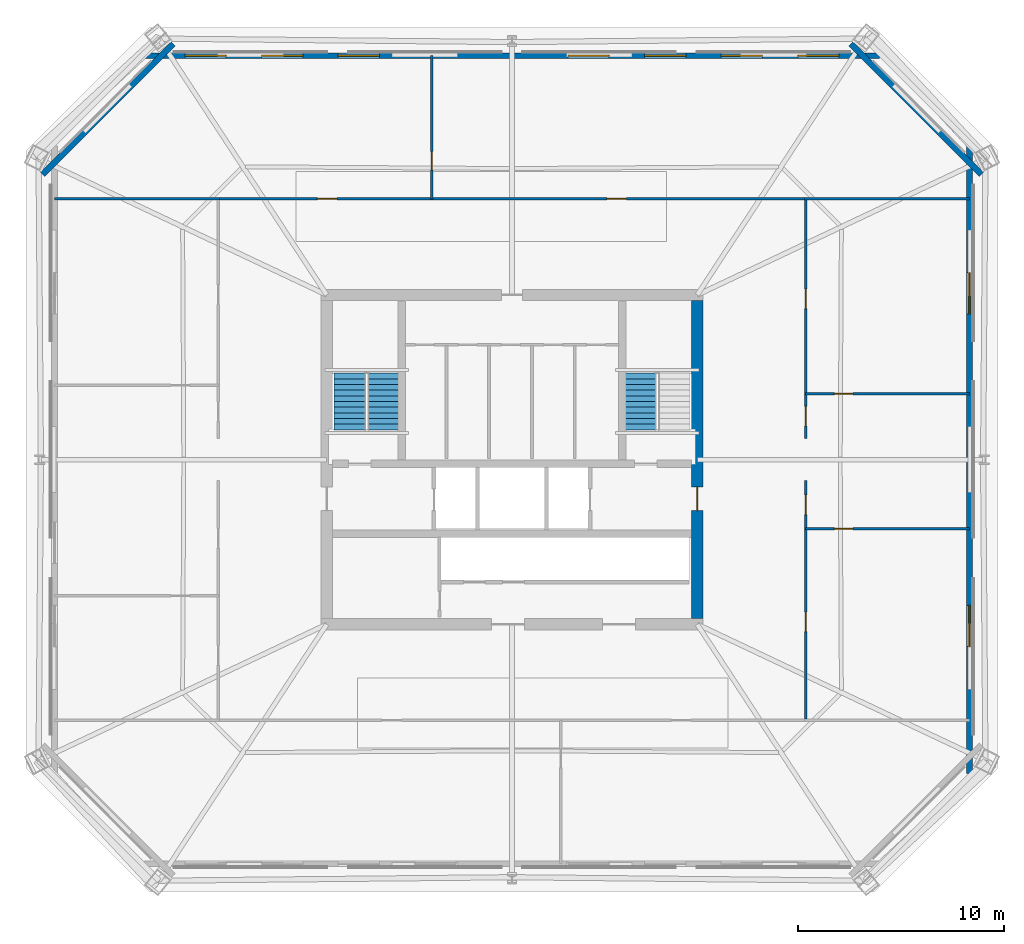
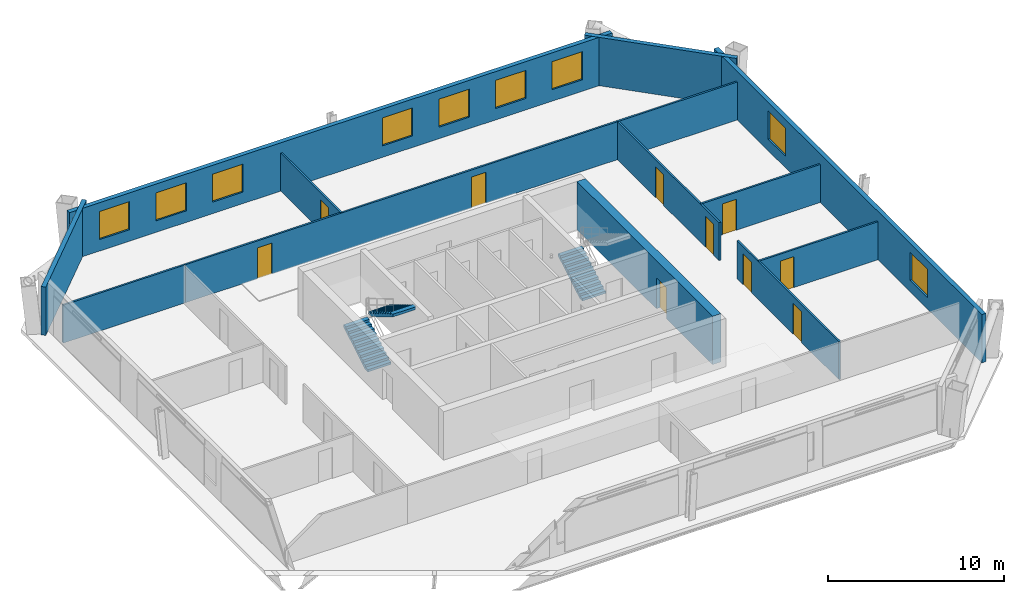
# One storey, part 4 of 7: 13 walls, 10 doors, 9 windows, 3 stair flights, 19 openings, 2 elements without a shape of their own.
"""IFC4 building model written with IfcOpenShell, lengths in metres."""

from ifc_helpers import new_model, si_unit, direction, frame, frame_2d, origin, place, context, subcontext, project, spatial, polyline, rectangle, outline, extrude, material, layer, layer_set, type_object, element, fill, aggregate, save


model = new_model("IFC4")

# Units and contexts
model_context = context("Model", 3, precision=1e-05, world=origin(), true_north=direction((0.0, 1.0)))
body_context = subcontext(model_context, "Body", "Model", "MODEL_VIEW")
ifc_project = project(units=[si_unit("LENGTHUNIT", "METRE"), si_unit("AREAUNIT", "SQUARE_METRE"), si_unit("VOLUMEUNIT", "CUBIC_METRE"), si_unit("PLANEANGLEUNIT", "RADIAN"), si_unit("MASSUNIT", "GRAM", prefix="KILO")], contexts=[model_context])

# Site, building, storey
site_placement = place(None, origin())
site = spatial("IfcSite", under=ifc_project, at=site_placement, CompositionType="ELEMENT")
building_placement = place(site_placement, origin())
building = spatial("IfcBuilding", under=site, at=building_placement, Name="Caelvoria Tower", CompositionType="ELEMENT")
storey_placement = place(building_placement, frame((0.0, 0.0, 124.0)))
storey = spatial("IfcBuildingStorey", under=building, at=storey_placement, Name="L32", CompositionType="ELEMENT", Elevation=124.0)

# Wall, openings, windows
ifc_material_1 = material(Name="Precast Concrete C40/50 with Bronze Cladding", Category="concrete")
ifc_layer_1 = layer(ifc_material_1, 0.280029296875, Name="Precast Concrete C40/50 with Bronze Cladding")
ifc_layer_set_1 = layer_set([ifc_layer_1], Name="Exterior Precast Concrete C40/50 Bronze-Clad Facade Wall 280 - Precast Concrete C40/50 with Bronze Cladding")
wall_type_1 = type_object("IfcWallType", Name="Exterior Precast Concrete C40/50 Bronze-Clad Facade Wall 280", PredefinedType="STANDARD", material=ifc_layer_set_1)
wall_1_placement = place(storey_placement, frame((68.219970703125, 16.760009765625, 0.0), z_axis=(0.0, 0.0, 1.0), x_axis=(0.0, 1.0, 0.0)))
wall_1 = element("IfcWall", 1, at=wall_1_placement, inside=storey, type_object=wall_type_1, Name="Exterior Facade Wall L32-E2", PredefinedType="STANDARD", context=body_context, shape_type="SweptSolid", body=[
    extrude(rectangle(XDim=30.47998046875, YDim=0.280029296875, at=frame_2d((15.239990234375, 0.0))), origin(), (0.0, 0.0, 1.0), 3.360107421875),
])
opening_1_placement = place(wall_1_placement, frame((6.159912109375, 0.0, 0.800048828125)))
opening_1 = element("IfcOpeningElement", 2, at=opening_1_placement, cuts=wall_1, Name="Opening WN-01", PredefinedType="OPENING", context=body_context, shape_type="SweptSolid", body=[
    extrude(rectangle(XDim=2.0, YDim=1.949951171875, at=frame_2d((1.0, 0.97509765625))), frame((0.0, 0.14990234375, 0.0), z_axis=(0.0, -1.0, 0.0), x_axis=(1.0, 0.0, 0.0)), (0.0, 0.0, 1.0), 0.300048828125),
])
opening_2_placement = place(wall_1_placement, frame((22.320068359375, 0.0, 0.800048828125)))
opening_2 = element("IfcOpeningElement", 3, at=opening_2_placement, cuts=wall_1, Name="Opening WN-01", PredefinedType="OPENING", context=body_context, shape_type="SweptSolid", body=[
    extrude(rectangle(XDim=2.0, YDim=1.949951171875, at=frame_2d((1.0, 0.97509765625))), frame((0.0, 0.14990234375, 0.0), z_axis=(0.0, -1.0, 0.0), x_axis=(1.0, 0.0, 0.0)), (0.0, 0.0, 1.0), 0.300048828125),
])
ifc_material_2 = material(Name="Low-E Tinted Glass in Bronze Aluminium Frame", Category="aluminium")
window_type = type_object("IfcWindowType", Name="Tower Office Vision Window 2000x1950", PartitioningType="SINGLE_PANEL", PredefinedType="WINDOW", material=ifc_material_2)
window_1_placement = place(opening_1_placement, origin())
window_1 = element("IfcWindow", 4, at=window_1_placement, inside=storey, type_object=window_type, Name="Facade Window L32-E2-01", OverallHeight=1.949951171875, OverallWidth=2.0, PartitioningType="SINGLE_PANEL", PredefinedType="WINDOW", context=body_context, shape_type="SweptSolid", body=[
    extrude(rectangle(XDim=2.0, YDim=1.949951171875, at=frame_2d((1.0, 0.97509765625))), frame((0.0, 0.030029296875, 0.0), z_axis=(0.0, -1.0, 0.0), x_axis=(1.0, 0.0, 0.0)), (0.0, 0.0, 1.0), 0.06005859375),
])
fill(opening_1, window_1)
window_2_placement = place(opening_2_placement, origin())
window_2 = element("IfcWindow", 5, at=window_2_placement, inside=storey, type_object=window_type, Name="Facade Window L32-E2-05", OverallHeight=1.949951171875, OverallWidth=2.0, PartitioningType="SINGLE_PANEL", PredefinedType="WINDOW", context=body_context, shape_type="SweptSolid", body=[
    extrude(rectangle(XDim=2.0, YDim=1.949951171875, at=frame_2d((1.0, 0.97509765625))), frame((0.0, 0.030029296875, 0.0), z_axis=(0.0, -1.0, 0.0), x_axis=(1.0, 0.0, 0.0)), (0.0, 0.0, 1.0), 0.06005859375),
])
fill(opening_2, window_2)

# Wall
wall_2_placement = place(storey_placement, frame((68.7939453125, 45.8544921875, 0.0), z_axis=(0.0, 0.0, 1.0), x_axis=(-0.707106781187, 0.707106781187, 0.0)))
element("IfcWall", 6, at=wall_2_placement, inside=storey, type_object=wall_type_1, Name="Exterior Facade Wall L32-E3", PredefinedType="STANDARD", context=body_context, shape_type="SweptSolid", body=[
    extrude(rectangle(XDim=8.965087890625, YDim=0.280029296875, at=frame_2d((4.482421875, 0.0))), origin(), (0.0, 0.0, 1.0), 3.360107421875),
])

# Wall, openings, windows
wall_3_placement = place(storey_placement, frame((63.840087890625, 51.6201171875, 0.0), z_axis=(0.0, 0.0, 1.0), x_axis=(-1.0, 0.0, 0.0)))
wall_3 = element("IfcWall", 7, at=wall_3_placement, inside=storey, type_object=wall_type_1, Name="Exterior Facade Wall L32-E4", PredefinedType="STANDARD", context=body_context, shape_type="SweptSolid", body=[
    extrude(rectangle(XDim=35.68017578125, YDim=0.280029296875, at=frame_2d((17.840087890625, 0.0))), origin(), (0.0, 0.0, 1.0), 3.360107421875),
])
opening_3_placement = place(wall_3_placement, frame((1.9599609375, 0.0, 0.800048828125)))
opening_3 = element("IfcOpeningElement", 8, at=opening_3_placement, cuts=wall_3, Name="Opening WN-01", PredefinedType="OPENING", context=body_context, shape_type="SweptSolid", body=[
    extrude(rectangle(XDim=2.0, YDim=1.949951171875, at=frame_2d((1.0, 0.97509765625))), frame((0.0, 0.14990234375, 0.0), z_axis=(0.0, -1.0, 0.0), x_axis=(1.0, 0.0, 0.0)), (0.0, 0.0, 1.0), 0.300048828125),
])
opening_4_placement = place(wall_3_placement, frame((5.679931640625, 0.0, 0.800048828125)))
opening_4 = element("IfcOpeningElement", 9, at=opening_4_placement, cuts=wall_3, Name="Opening WN-01", PredefinedType="OPENING", context=body_context, shape_type="SweptSolid", body=[
    extrude(rectangle(XDim=2.0, YDim=1.949951171875, at=frame_2d((1.0, 0.97509765625))), frame((0.0, 0.14990234375, 0.0), z_axis=(0.0, -1.0, 0.0), x_axis=(1.0, 0.0, 0.0)), (0.0, 0.0, 1.0), 0.300048828125),
])
opening_5_placement = place(wall_3_placement, frame((9.39990234375, 0.0, 0.800048828125)))
opening_5 = element("IfcOpeningElement", 10, at=opening_5_placement, cuts=wall_3, Name="Opening WN-01", PredefinedType="OPENING", context=body_context, shape_type="SweptSolid", body=[
    extrude(rectangle(XDim=2.0, YDim=1.949951171875, at=frame_2d((1.0, 0.97509765625))), frame((0.0, 0.14990234375, 0.0), z_axis=(0.0, -1.0, 0.0), x_axis=(1.0, 0.0, 0.0)), (0.0, 0.0, 1.0), 0.300048828125),
])
opening_6_placement = place(wall_3_placement, frame((13.1201171875, 0.0, 0.800048828125)))
opening_6 = element("IfcOpeningElement", 11, at=opening_6_placement, cuts=wall_3, Name="Opening WN-01", PredefinedType="OPENING", context=body_context, shape_type="SweptSolid", body=[
    extrude(rectangle(XDim=2.0, YDim=1.949951171875, at=frame_2d((1.0, 0.97509765625))), frame((0.0, 0.14990234375, 0.0), z_axis=(0.0, -1.0, 0.0), x_axis=(1.0, 0.0, 0.0)), (0.0, 0.0, 1.0), 0.300048828125),
])
opening_7_placement = place(wall_3_placement, frame((24.280029296875, 0.0, 0.800048828125)))
opening_7 = element("IfcOpeningElement", 12, at=opening_7_placement, cuts=wall_3, Name="Opening WN-01", PredefinedType="OPENING", context=body_context, shape_type="SweptSolid", body=[
    extrude(rectangle(XDim=2.0, YDim=1.949951171875, at=frame_2d((1.0, 0.97509765625))), frame((0.0, 0.14990234375, 0.0), z_axis=(0.0, -1.0, 0.0), x_axis=(1.0, 0.0, 0.0)), (0.0, 0.0, 1.0), 0.300048828125),
])
opening_8_placement = place(wall_3_placement, frame((28.0, 0.0, 0.800048828125)))
opening_8 = element("IfcOpeningElement", 13, at=opening_8_placement, cuts=wall_3, Name="Opening WN-01", PredefinedType="OPENING", context=body_context, shape_type="SweptSolid", body=[
    extrude(rectangle(XDim=2.0, YDim=1.949951171875, at=frame_2d((1.0, 0.97509765625))), frame((0.0, 0.14990234375, 0.0), z_axis=(0.0, -1.0, 0.0), x_axis=(1.0, 0.0, 0.0)), (0.0, 0.0, 1.0), 0.300048828125),
])
opening_9_placement = place(wall_3_placement, frame((31.719970703125, 0.0, 0.800048828125)))
opening_9 = element("IfcOpeningElement", 14, at=opening_9_placement, cuts=wall_3, Name="Opening WN-01", PredefinedType="OPENING", context=body_context, shape_type="SweptSolid", body=[
    extrude(rectangle(XDim=2.0, YDim=1.949951171875, at=frame_2d((1.0, 0.97509765625))), frame((0.0, 0.14990234375, 0.0), z_axis=(0.0, -1.0, 0.0), x_axis=(1.0, 0.0, 0.0)), (0.0, 0.0, 1.0), 0.300048828125),
])
window_3_placement = place(opening_3_placement, origin())
window_3 = element("IfcWindow", 15, at=window_3_placement, inside=storey, type_object=window_type, Name="Facade Window L32-E4-00", OverallHeight=1.949951171875, OverallWidth=2.0, PartitioningType="SINGLE_PANEL", PredefinedType="WINDOW", context=body_context, shape_type="SweptSolid", body=[
    extrude(rectangle(XDim=2.0, YDim=1.949951171875, at=frame_2d((1.0, 0.97509765625))), frame((0.0, 0.030029296875, 0.0), z_axis=(0.0, -1.0, 0.0), x_axis=(1.0, 0.0, 0.0)), (0.0, 0.0, 1.0), 0.06005859375),
])
fill(opening_3, window_3)
window_4_placement = place(opening_4_placement, origin())
window_4 = element("IfcWindow", 16, at=window_4_placement, inside=storey, type_object=window_type, Name="Facade Window L32-E4-01", OverallHeight=1.949951171875, OverallWidth=2.0, PartitioningType="SINGLE_PANEL", PredefinedType="WINDOW", context=body_context, shape_type="SweptSolid", body=[
    extrude(rectangle(XDim=2.0, YDim=1.949951171875, at=frame_2d((1.0, 0.97509765625))), frame((0.0, 0.030029296875, 0.0), z_axis=(0.0, -1.0, 0.0), x_axis=(1.0, 0.0, 0.0)), (0.0, 0.0, 1.0), 0.06005859375),
])
fill(opening_4, window_4)
window_5_placement = place(opening_5_placement, origin())
window_5 = element("IfcWindow", 17, at=window_5_placement, inside=storey, type_object=window_type, Name="Facade Window L32-E4-02", OverallHeight=1.949951171875, OverallWidth=2.0, PartitioningType="SINGLE_PANEL", PredefinedType="WINDOW", context=body_context, shape_type="SweptSolid", body=[
    extrude(rectangle(XDim=2.0, YDim=1.949951171875, at=frame_2d((1.0, 0.97509765625))), frame((0.0, 0.030029296875, 0.0), z_axis=(0.0, -1.0, 0.0), x_axis=(1.0, 0.0, 0.0)), (0.0, 0.0, 1.0), 0.06005859375),
])
fill(opening_5, window_5)
window_6_placement = place(opening_6_placement, origin())
window_6 = element("IfcWindow", 18, at=window_6_placement, inside=storey, type_object=window_type, Name="Facade Window L32-E4-03", OverallHeight=1.949951171875, OverallWidth=2.0, PartitioningType="SINGLE_PANEL", PredefinedType="WINDOW", context=body_context, shape_type="SweptSolid", body=[
    extrude(rectangle(XDim=2.0, YDim=1.949951171875, at=frame_2d((1.0, 0.97509765625))), frame((0.0, 0.030029296875, 0.0), z_axis=(0.0, -1.0, 0.0), x_axis=(1.0, 0.0, 0.0)), (0.0, 0.0, 1.0), 0.06005859375),
])
fill(opening_6, window_6)
window_7_placement = place(opening_7_placement, origin())
window_7 = element("IfcWindow", 19, at=window_7_placement, inside=storey, type_object=window_type, Name="Facade Window L32-E4-06", OverallHeight=1.949951171875, OverallWidth=2.0, PartitioningType="SINGLE_PANEL", PredefinedType="WINDOW", context=body_context, shape_type="SweptSolid", body=[
    extrude(rectangle(XDim=2.0, YDim=1.949951171875, at=frame_2d((1.0, 0.97509765625))), frame((0.0, 0.030029296875, 0.0), z_axis=(0.0, -1.0, 0.0), x_axis=(1.0, 0.0, 0.0)), (0.0, 0.0, 1.0), 0.06005859375),
])
fill(opening_7, window_7)
window_8_placement = place(opening_8_placement, origin())
window_8 = element("IfcWindow", 20, at=window_8_placement, inside=storey, type_object=window_type, Name="Facade Window L32-E4-07", OverallHeight=1.949951171875, OverallWidth=2.0, PartitioningType="SINGLE_PANEL", PredefinedType="WINDOW", context=body_context, shape_type="SweptSolid", body=[
    extrude(rectangle(XDim=2.0, YDim=1.949951171875, at=frame_2d((1.0, 0.97509765625))), frame((0.0, 0.030029296875, 0.0), z_axis=(0.0, -1.0, 0.0), x_axis=(1.0, 0.0, 0.0)), (0.0, 0.0, 1.0), 0.06005859375),
])
fill(opening_8, window_8)
window_9_placement = place(opening_9_placement, origin())
window_9 = element("IfcWindow", 21, at=window_9_placement, inside=storey, type_object=window_type, Name="Facade Window L32-E4-08", OverallHeight=1.949951171875, OverallWidth=2.0, PartitioningType="SINGLE_PANEL", PredefinedType="WINDOW", context=body_context, shape_type="SweptSolid", body=[
    extrude(rectangle(XDim=2.0, YDim=1.949951171875, at=frame_2d((1.0, 0.97509765625))), frame((0.0, 0.030029296875, 0.0), z_axis=(0.0, -1.0, 0.0), x_axis=(1.0, 0.0, 0.0)), (0.0, 0.0, 1.0), 0.06005859375),
])
fill(opening_9, window_9)

# Wall
wall_4_placement = place(storey_placement, frame((29.54541015625, 52.19384765625, 0.0), z_axis=(0.0, 0.0, 1.0), x_axis=(-0.707106781187, -0.707106781187, 0.0)))
element("IfcWall", 22, at=wall_4_placement, inside=storey, type_object=wall_type_1, Name="Exterior Facade Wall L32-E5", PredefinedType="STANDARD", context=body_context, shape_type="SweptSolid", body=[
    extrude(rectangle(XDim=8.965087890625, YDim=0.280029296875, at=frame_2d((4.482421875, 0.0))), origin(), (0.0, 0.0, 1.0), 3.360107421875),
])

# Wall, opening, door
ifc_material_3 = material(Name="Concrete C55/67", Category="concrete")
ifc_layer_2 = layer(ifc_material_3, 0.550048828125, Name="Concrete C55/67")
ifc_layer_set_2 = layer_set([ifc_layer_2], Name="Mid Core Shear Wall 550 - Concrete C55/67")
wall_type_2 = type_object("IfcWallType", Name="Mid Core Shear Wall 550", PredefinedType="SHEAR", material=ifc_layer_set_2)
wall_5_placement = place(storey_placement, frame((55.0, 24.27490234375, 0.0), z_axis=(0.0, 0.0, 1.0), x_axis=(0.0, 1.0, 0.0)))
wall_5 = element("IfcWall", 23, at=wall_5_placement, inside=storey, type_object=wall_type_2, Name="Core Shear Wall L32 E", PredefinedType="SHEAR", context=body_context, shape_type="SweptSolid", body=[
    extrude(rectangle(XDim=15.4501953125, YDim=0.550048828125, at=frame_2d((7.72509765625, 0.0))), origin(), (0.0, 0.0, 1.0), 3.360107421875),
])
opening_10_placement = place(wall_5_placement, frame((5.25, 0.0, 0.0)))
opening_10 = element("IfcOpeningElement", 24, at=opening_10_placement, cuts=wall_5, Name="Opening ID-02", PredefinedType="OPENING", context=body_context, shape_type="SweptSolid", body=[
    extrude(rectangle(XDim=1.14990234375, YDim=2.14990234375, at=frame_2d((0.574951171875, 1.074951171875))), frame((0.0, 0.284912109375, 0.0), z_axis=(0.0, -1.0, 0.0), x_axis=(1.0, 0.0, 0.0)), (0.0, 0.0, 1.0), 0.570068359375),
])
ifc_material_4 = material(Name="Painted Hollow Steel Fire Door", Category="steel")
door_type_1 = type_object("IfcDoorType", Name="Fire Door FD60S 1150x2150", OperationType="NOTDEFINED", PredefinedType="DOOR", material=ifc_material_4)
door_1_placement = place(opening_10_placement, origin())
door_1 = element("IfcDoor", 25, at=door_1_placement, inside=storey, type_object=door_type_1, Name="Core Door DR-L32-FFLE-OUT", OperationType="SINGLE_SWING_RIGHT", OverallHeight=2.14990234375, OverallWidth=1.14990234375, PredefinedType="DOOR", context=body_context, shape_type="SweptSolid", body=[
    extrude(rectangle(XDim=1.14990234375, YDim=2.14990234375, at=frame_2d((0.574951171875, 1.074951171875))), frame((0.0, 0.02490234375, 0.0), z_axis=(0.0, -1.0, 0.0), x_axis=(1.0, 0.0, 0.0)), (0.0, 0.0, 1.0), 0.050048828125),
])
fill(opening_10, door_1)

ifc_material_5 = material(Name="Acoustic Gypsum Board on Light-Gauge Stud", Category="gypsum")
ifc_layer_3 = layer(ifc_material_5, 0.1201171875, Name="Acoustic Gypsum Board on Light-Gauge Stud")
ifc_layer_set_3 = layer_set([ifc_layer_3], Name="Tenant Suite Acoustic Partition Wall 120 - Acoustic Gypsum Board on Light-Gauge Stud")
wall_type_3 = type_object("IfcWallType", Name="Tenant Suite Acoustic Partition Wall 120", PredefinedType="PARTITIONING", material=ifc_layer_set_3)
wall_6_placement = place(storey_placement, frame((42.103515625, 44.659912109375, 0.0), z_axis=(0.0, 0.0, 1.0), x_axis=(0.0, 1.0, 0.0)))
wall_6 = element("IfcWall", 26, at=wall_6_placement, inside=storey, type_object=wall_type_3, Name="Interior Partition IW-L32-ND-00-0", PredefinedType="PARTITIONING", context=body_context, shape_type="SweptSolid", body=[
    extrude(rectangle(XDim=6.960205078125, YDim=0.1201171875, at=frame_2d((3.47998046875, 0.0))), origin(), (0.0, 0.0, 1.0), 2.639892578125),
])
opening_11_placement = place(wall_6_placement, frame((1.39990234375, 0.0, 0.0)))
opening_11 = element("IfcOpeningElement", 27, at=opening_11_placement, cuts=wall_6, Name="Opening ID-06", PredefinedType="OPENING", context=body_context, shape_type="SweptSolid", body=[
    extrude(rectangle(XDim=0.89990234375, YDim=2.14990234375, at=frame_2d((0.449951171875, 1.074951171875))), frame((0.0, 0.070068359375, 0.0), z_axis=(0.0, -1.0, 0.0), x_axis=(1.0, 0.0, 0.0)), (0.0, 0.0, 1.0), 0.14013671875),
])
ifc_material_6 = material(Name="Engineered Andean Oak Veneer Door", Category="wood")
door_type_2 = type_object("IfcDoorType", Name="Interior Timber Door 900x2150", OperationType="NOTDEFINED", PredefinedType="DOOR", material=ifc_material_6)
door_2_placement = place(opening_11_placement, origin())
door_2 = element("IfcDoor", 28, at=door_2_placement, inside=storey, type_object=door_type_2, Name="Interior Door DR-L32-NM-00-0", OperationType="SINGLE_SWING_RIGHT", OverallHeight=2.14990234375, OverallWidth=0.89990234375, PredefinedType="DOOR", context=body_context, shape_type="SweptSolid", body=[
    extrude(rectangle(XDim=0.89990234375, YDim=2.14990234375, at=frame_2d((0.449951171875, 1.074951171875))), frame((0.0, 0.02490234375, 0.0), z_axis=(0.0, -1.0, 0.0), x_axis=(1.0, 0.0, 0.0)), (0.0, 0.0, 1.0), 0.050048828125),
])
fill(opening_11, door_2)

# Wall, openings, doors
wall_7_placement = place(storey_placement, frame((31.800048828125, 44.659912109375, 0.0), z_axis=(0.0, 0.0, 1.0), x_axis=(1.0, 0.0, 0.0)))
wall_7 = element("IfcWall", 29, at=wall_7_placement, inside=storey, type_object=wall_type_3, Name="Interior Partition IW-L32-NCW-0", PredefinedType="PARTITIONING", context=body_context, shape_type="SweptSolid", body=[
    extrude(rectangle(XDim=28.39990234375, YDim=0.1201171875, at=frame_2d((14.199951171875, 0.0))), origin(), (0.0, 0.0, 1.0), 2.639892578125),
])
opening_12_placement = place(wall_7_placement, frame((4.74658203125, 0.0, 0.0)))
opening_12 = element("IfcOpeningElement", 30, at=opening_12_placement, cuts=wall_7, Name="Opening ID-05", PredefinedType="OPENING", context=body_context, shape_type="SweptSolid", body=[
    extrude(rectangle(XDim=0.949951171875, YDim=2.14990234375, at=frame_2d((0.47509765625, 1.074951171875))), frame((0.0, 0.070068359375, 0.0), z_axis=(0.0, -1.0, 0.0), x_axis=(1.0, 0.0, 0.0)), (0.0, 0.0, 1.0), 0.14013671875),
])
opening_13_placement = place(wall_7_placement, frame((18.806640625, 0.0, 0.0)))
opening_13 = element("IfcOpeningElement", 31, at=opening_13_placement, cuts=wall_7, Name="Opening ID-05", PredefinedType="OPENING", context=body_context, shape_type="SweptSolid", body=[
    extrude(rectangle(XDim=0.949951171875, YDim=2.14990234375, at=frame_2d((0.47509765625, 1.074951171875))), frame((0.0, 0.070068359375, 0.0), z_axis=(0.0, -1.0, 0.0), x_axis=(1.0, 0.0, 0.0)), (0.0, 0.0, 1.0), 0.14013671875),
])
door_type_3 = type_object("IfcDoorType", Name="Interior Timber Door 950x2150", OperationType="NOTDEFINED", PredefinedType="DOOR", material=ifc_material_6)
door_3_placement = place(opening_12_placement, origin())
door_3 = element("IfcDoor", 32, at=door_3_placement, inside=storey, type_object=door_type_3, Name="Interior Door DR-L32-NC-00-0", OperationType="SINGLE_SWING_LEFT", OverallHeight=2.14990234375, OverallWidth=0.949951171875, PredefinedType="DOOR", context=body_context, shape_type="SweptSolid", body=[
    extrude(rectangle(XDim=0.949951171875, YDim=2.14990234375, at=frame_2d((0.47509765625, 1.074951171875))), frame((0.0, 0.02490234375, 0.0), z_axis=(0.0, -1.0, 0.0), x_axis=(1.0, 0.0, 0.0)), (0.0, 0.0, 1.0), 0.050048828125),
])
fill(opening_12, door_3)
door_4_placement = place(opening_13_placement, origin())
door_4 = element("IfcDoor", 33, at=door_4_placement, inside=storey, type_object=door_type_3, Name="Interior Door DR-L32-NC-01-0", OperationType="SINGLE_SWING_RIGHT", OverallHeight=2.14990234375, OverallWidth=0.949951171875, PredefinedType="DOOR", context=body_context, shape_type="SweptSolid", body=[
    extrude(rectangle(XDim=0.949951171875, YDim=2.14990234375, at=frame_2d((0.47509765625, 1.074951171875))), frame((0.0, 0.02490234375, 0.0), z_axis=(0.0, -1.0, 0.0), x_axis=(1.0, 0.0, 0.0)), (0.0, 0.0, 1.0), 0.050048828125),
])
fill(opening_13, door_4)

# Wall, opening, door
wall_8_placement = place(storey_placement, frame((60.260009765625, 28.642578125, 0.0), z_axis=(0.0, 0.0, 1.0), x_axis=(1.0, 0.0, 0.0)))
wall_8 = element("IfcWall", 34, at=wall_8_placement, inside=storey, type_object=wall_type_3, Name="Interior Partition IW-L32-ED-00-0", PredefinedType="PARTITIONING", context=body_context, shape_type="SweptSolid", body=[
    extrude(rectangle(XDim=7.9599609375, YDim=0.1201171875, at=frame_2d((3.97998046875, 0.0))), origin(), (0.0, 0.0, 1.0), 2.639892578125),
])
opening_14_placement = place(wall_8_placement, frame((1.39990234375, 0.0, 0.0)))
opening_14 = element("IfcOpeningElement", 35, at=opening_14_placement, cuts=wall_8, Name="Opening ID-06", PredefinedType="OPENING", context=body_context, shape_type="SweptSolid", body=[
    extrude(rectangle(XDim=0.89990234375, YDim=2.14990234375, at=frame_2d((0.449951171875, 1.074951171875))), frame((0.0, 0.070068359375, 0.0), z_axis=(0.0, -1.0, 0.0), x_axis=(1.0, 0.0, 0.0)), (0.0, 0.0, 1.0), 0.14013671875),
])
door_5_placement = place(opening_14_placement, origin())
door_5 = element("IfcDoor", 36, at=door_5_placement, inside=storey, type_object=door_type_2, Name="Interior Door DR-L32-EM-00-0", OperationType="SINGLE_SWING_RIGHT", OverallHeight=2.14990234375, OverallWidth=0.89990234375, PredefinedType="DOOR", context=body_context, shape_type="SweptSolid", body=[
    extrude(rectangle(XDim=0.89990234375, YDim=2.14990234375, at=frame_2d((0.449951171875, 1.074951171875))), frame((0.0, 0.02490234375, 0.0), z_axis=(0.0, -1.0, 0.0), x_axis=(1.0, 0.0, 0.0)), (0.0, 0.0, 1.0), 0.050048828125),
])
fill(opening_14, door_5)

wall_9_placement = place(storey_placement, frame((60.260009765625, 35.20947265625, 0.0), z_axis=(0.0, 0.0, 1.0), x_axis=(1.0, 0.0, 0.0)))
wall_9 = element("IfcWall", 37, at=wall_9_placement, inside=storey, type_object=wall_type_3, Name="Interior Partition IW-L32-ED-01-0", PredefinedType="PARTITIONING", context=body_context, shape_type="SweptSolid", body=[
    extrude(rectangle(XDim=7.9599609375, YDim=0.1201171875, at=frame_2d((3.97998046875, 0.0))), origin(), (0.0, 0.0, 1.0), 2.639892578125),
])
opening_15_placement = place(wall_9_placement, frame((1.39990234375, 0.0, 0.0)))
opening_15 = element("IfcOpeningElement", 38, at=opening_15_placement, cuts=wall_9, Name="Opening ID-06", PredefinedType="OPENING", context=body_context, shape_type="SweptSolid", body=[
    extrude(rectangle(XDim=0.89990234375, YDim=2.14990234375, at=frame_2d((0.449951171875, 1.074951171875))), frame((0.0, 0.070068359375, 0.0), z_axis=(0.0, -1.0, 0.0), x_axis=(1.0, 0.0, 0.0)), (0.0, 0.0, 1.0), 0.14013671875),
])
door_6_placement = place(opening_15_placement, origin())
door_6 = element("IfcDoor", 39, at=door_6_placement, inside=storey, type_object=door_type_2, Name="Interior Door DR-L32-EM-01-0", OperationType="SINGLE_SWING_LEFT", OverallHeight=2.14990234375, OverallWidth=0.89990234375, PredefinedType="DOOR", context=body_context, shape_type="SweptSolid", body=[
    extrude(rectangle(XDim=0.89990234375, YDim=2.14990234375, at=frame_2d((0.449951171875, 1.074951171875))), frame((0.0, 0.02490234375, 0.0), z_axis=(0.0, -1.0, 0.0), x_axis=(1.0, 0.0, 0.0)), (0.0, 0.0, 1.0), 0.050048828125),
])
fill(opening_15, door_6)

# Wall, openings, doors
wall_10_placement = place(storey_placement, frame((60.260009765625, 19.39990234375, 0.0), z_axis=(0.0, 0.0, 1.0), x_axis=(0.0, 1.0, 0.0)))
wall_10 = element("IfcWall", 40, at=wall_10_placement, inside=storey, type_object=wall_type_3, Name="Interior Partition IW-L32-ECW-0", PredefinedType="PARTITIONING", context=body_context, shape_type="SweptSolid", body=[
    extrude(rectangle(XDim=11.580078125, YDim=0.1201171875, at=frame_2d((5.7900390625, 0.0))), origin(), (0.0, 0.0, 1.0), 2.639892578125),
])
opening_16_placement = place(wall_10_placement, frame((4.246337890625, 0.0, 0.0)))
opening_16 = element("IfcOpeningElement", 41, at=opening_16_placement, cuts=wall_10, Name="Opening ID-05", PredefinedType="OPENING", context=body_context, shape_type="SweptSolid", body=[
    extrude(rectangle(XDim=0.949951171875, YDim=2.14990234375, at=frame_2d((0.47509765625, 1.074951171875))), frame((0.0, 0.070068359375, 0.0), z_axis=(0.0, -1.0, 0.0), x_axis=(1.0, 0.0, 0.0)), (0.0, 0.0, 1.0), 0.14013671875),
])
opening_17_placement = place(wall_10_placement, frame((9.936279296875, 0.0, 0.0)))
opening_17 = element("IfcOpeningElement", 42, at=opening_17_placement, cuts=wall_10, Name="Opening ID-05", PredefinedType="OPENING", context=body_context, shape_type="SweptSolid", body=[
    extrude(rectangle(XDim=0.949951171875, YDim=2.14990234375, at=frame_2d((0.47509765625, 1.074951171875))), frame((0.0, 0.070068359375, 0.0), z_axis=(0.0, -1.0, 0.0), x_axis=(1.0, 0.0, 0.0)), (0.0, 0.0, 1.0), 0.14013671875),
])
door_7_placement = place(opening_16_placement, origin())
door_7 = element("IfcDoor", 43, at=door_7_placement, inside=storey, type_object=door_type_3, Name="Interior Door DR-L32-EC-00-0", OperationType="SINGLE_SWING_LEFT", OverallHeight=2.14990234375, OverallWidth=0.949951171875, PredefinedType="DOOR", context=body_context, shape_type="SweptSolid", body=[
    extrude(rectangle(XDim=0.949951171875, YDim=2.14990234375, at=frame_2d((0.47509765625, 1.074951171875))), frame((0.0, 0.02490234375, 0.0), z_axis=(0.0, -1.0, 0.0), x_axis=(1.0, 0.0, 0.0)), (0.0, 0.0, 1.0), 0.050048828125),
])
fill(opening_16, door_7)
door_8_placement = place(opening_17_placement, origin())
door_8 = element("IfcDoor", 44, at=door_8_placement, inside=storey, type_object=door_type_3, Name="Interior Door DR-L32-EC-01-1", OperationType="SINGLE_SWING_LEFT", OverallHeight=2.14990234375, OverallWidth=0.949951171875, PredefinedType="DOOR", context=body_context, shape_type="SweptSolid", body=[
    extrude(rectangle(XDim=0.949951171875, YDim=2.14990234375, at=frame_2d((0.47509765625, 1.074951171875))), frame((0.0, 0.02490234375, 0.0), z_axis=(0.0, -1.0, 0.0), x_axis=(1.0, 0.0, 0.0)), (0.0, 0.0, 1.0), 0.050048828125),
])
fill(opening_17, door_8)

wall_11_placement = place(storey_placement, frame((60.260009765625, 33.02001953125, 0.0), z_axis=(0.0, 0.0, 1.0), x_axis=(0.0, 1.0, 0.0)))
wall_11 = element("IfcWall", 45, at=wall_11_placement, inside=storey, type_object=wall_type_3, Name="Interior Partition IW-L32-ECW-1", PredefinedType="PARTITIONING", context=body_context, shape_type="SweptSolid", body=[
    extrude(rectangle(XDim=11.580078125, YDim=0.1201171875, at=frame_2d((5.7900390625, 0.0))), origin(), (0.0, 0.0, 1.0), 2.639892578125),
])
opening_18_placement = place(wall_11_placement, frame((0.619873046875, 0.0, 0.0)))
opening_18 = element("IfcOpeningElement", 46, at=opening_18_placement, cuts=wall_11, Name="Opening ID-05", PredefinedType="OPENING", context=body_context, shape_type="SweptSolid", body=[
    extrude(rectangle(XDim=0.949951171875, YDim=2.14990234375, at=frame_2d((0.47509765625, 1.074951171875))), frame((0.0, 0.070068359375, 0.0), z_axis=(0.0, -1.0, 0.0), x_axis=(1.0, 0.0, 0.0)), (0.0, 0.0, 1.0), 0.14013671875),
])
opening_19_placement = place(wall_11_placement, frame((6.309814453125, 0.0, 0.0)))
opening_19 = element("IfcOpeningElement", 47, at=opening_19_placement, cuts=wall_11, Name="Opening ID-05", PredefinedType="OPENING", context=body_context, shape_type="SweptSolid", body=[
    extrude(rectangle(XDim=0.949951171875, YDim=2.14990234375, at=frame_2d((0.47509765625, 1.074951171875))), frame((0.0, 0.070068359375, 0.0), z_axis=(0.0, -1.0, 0.0), x_axis=(1.0, 0.0, 0.0)), (0.0, 0.0, 1.0), 0.14013671875),
])
door_9_placement = place(opening_18_placement, origin())
door_9 = element("IfcDoor", 48, at=door_9_placement, inside=storey, type_object=door_type_3, Name="Interior Door DR-L32-EC-01-0", OperationType="SINGLE_SWING_RIGHT", OverallHeight=2.14990234375, OverallWidth=0.949951171875, PredefinedType="DOOR", context=body_context, shape_type="SweptSolid", body=[
    extrude(rectangle(XDim=0.949951171875, YDim=2.14990234375, at=frame_2d((0.47509765625, 1.074951171875))), frame((0.0, 0.02490234375, 0.0), z_axis=(0.0, -1.0, 0.0), x_axis=(1.0, 0.0, 0.0)), (0.0, 0.0, 1.0), 0.050048828125),
])
fill(opening_18, door_9)
door_10_placement = place(opening_19_placement, origin())
door_10 = element("IfcDoor", 49, at=door_10_placement, inside=storey, type_object=door_type_3, Name="Interior Door DR-L32-EC-02-0", OperationType="SINGLE_SWING_LEFT", OverallHeight=2.14990234375, OverallWidth=0.949951171875, PredefinedType="DOOR", context=body_context, shape_type="SweptSolid", body=[
    extrude(rectangle(XDim=0.949951171875, YDim=2.14990234375, at=frame_2d((0.47509765625, 1.074951171875))), frame((0.0, 0.02490234375, 0.0), z_axis=(0.0, -1.0, 0.0), x_axis=(1.0, 0.0, 0.0)), (0.0, 0.0, 1.0), 0.050048828125),
])
fill(opening_19, door_10)

# Walls
for number, where, z_axis, x_axis, name in (
    (50, (31.800048828125, 44.659912109375, 0.0), (0.0, 0.0, 1.0), (-1.0, 0.0, 0.0), "Interior Partition IW-L32-BNW-0"),
    (51, (60.199951171875, 44.659912109375, 0.0), (0.0, 0.0, 1.0), (1.0, 0.0, 0.0), "Interior Partition IW-L32-BNE-0"),
):
    element("IfcWall", number, at=place(storey_placement, frame(where, z_axis=z_axis, x_axis=x_axis)), inside=storey, type_object=wall_type_3, Name=name, PredefinedType="PARTITIONING", context=body_context, shape_type="SweptSolid", body=[
        extrude(rectangle(XDim=8.02001953125, YDim=0.1201171875, at=frame_2d((4.010009765625, 0.0))), origin(), (0.0, 0.0, 1.0), 2.639892578125),
    ])

# Stair, stair flights
ifc_material_7 = material(Name="Concrete C40/50", Category="concrete")
stair_type = type_object("IfcStairType", Name="Core Smokeproof Dogleg Stair Concrete C40/50", PredefinedType="HALF_TURN_STAIR", material=ifc_material_7)
stair_1_placement = place(storey_placement, origin())
stair_1 = element("IfcStair", 52, at=stair_1_placement, inside=storey, type_object=stair_type, Name="ST-01 Smokeproof Exit Stair L32", PredefinedType="HALF_TURN_STAIR")
ifc_material_8 = material(Name="Precast Concrete C40/50", Category="concrete")
stair_flight_type = type_object("IfcStairFlightType", Name="Precast Concrete C40/50 Stair Flight 1480", PredefinedType="STRAIGHT", material=ifc_material_8)
stair_flight_1_placement = place(storey_placement, frame((38.1298828125, 33.449951171875, 0.0), z_axis=(0.0, 0.0, 1.0), x_axis=(0.0, 1.0, 0.0)))
stair_flight_1 = element("IfcStairFlight", 53, at=stair_flight_1_placement, type_object=stair_flight_type, Name="ST-01 flight 1", NumberOfRisers=11, NumberOfTreads=10, PredefinedType="STRAIGHT", RiserHeight=0.1636, TreadLength=0.275, context=body_context, shape_type="SweptSolid", body=[
    extrude(outline(polyline([(0.0, 0.0), (0.0, 0.16357421875), (0.27490234375, 0.16357421875), (0.27490234375, 0.3271484375), (0.550048828125, 0.3271484375), (0.550048828125, 0.49072265625), (0.824951171875, 0.49072265625), (0.824951171875, 0.654296875), (1.10009765625, 0.654296875), (1.10009765625, 0.818115234375), (1.375, 0.818115234375), (1.375, 0.981689453125), (1.64990234375, 0.981689453125), (1.64990234375, 1.145263671875), (1.925048828125, 1.145263671875), (1.925048828125, 1.308837890625), (2.199951171875, 1.308837890625), (2.199951171875, 1.472412109375), (2.47509765625, 1.472412109375), (2.47509765625, 1.635986328125), (2.75, 1.635986328125), (2.75, 1.799560546875), (2.75, 1.449951171875), (0.312744140625, 0.0), (0.0, 0.0)])), frame((0.0, 0.77001953125, 0.0), z_axis=(0.0, -1.0, 0.0), x_axis=(1.0, 0.0, 0.0)), (0.0, 0.0, 1.0), 1.5400390625),
])
stair_flight_2_placement = place(storey_placement, frame((39.77001953125, 36.199951171875, 1.800048828125), z_axis=(0.0, 0.0, 1.0), x_axis=(0.0, -1.0, 0.0)))
stair_flight_2 = element("IfcStairFlight", 54, at=stair_flight_2_placement, type_object=stair_flight_type, Name="ST-01 flight 2", NumberOfRisers=11, NumberOfTreads=10, PredefinedType="STRAIGHT", RiserHeight=0.1636, TreadLength=0.275, context=body_context, shape_type="SweptSolid", body=[
    extrude(outline(polyline([(0.0, 0.0), (0.0, 0.16357421875), (0.27490234375, 0.16357421875), (0.27490234375, 0.3271484375), (0.550048828125, 0.3271484375), (0.550048828125, 0.49072265625), (0.824951171875, 0.49072265625), (0.824951171875, 0.654296875), (1.10009765625, 0.654296875), (1.10009765625, 0.818115234375), (1.375, 0.818115234375), (1.375, 0.981689453125), (1.64990234375, 0.981689453125), (1.64990234375, 1.145263671875), (1.925048828125, 1.145263671875), (1.925048828125, 1.308837890625), (2.199951171875, 1.308837890625), (2.199951171875, 1.472412109375), (2.47509765625, 1.472412109375), (2.47509765625, 1.635986328125), (2.75, 1.635986328125), (2.75, 1.799560546875), (2.75, 1.449951171875), (0.312744140625, 0.0), (0.0, 0.0)])), frame((0.0, 0.77001953125, 0.0), z_axis=(0.0, -1.0, 0.0), x_axis=(1.0, 0.0, 0.0)), (0.0, 0.0, 1.0), 1.5400390625),
])
aggregate(stair_1, [stair_flight_1, stair_flight_2])

# Stair, stair flight
stair_2_placement = place(storey_placement, origin())
stair_2 = element("IfcStair", 55, at=stair_2_placement, inside=storey, type_object=stair_type, Name="ST-02 Smokeproof Exit Stair L32", PredefinedType="HALF_TURN_STAIR")
stair_flight_3_placement = place(storey_placement, frame((52.22998046875, 33.449951171875, 0.0), z_axis=(0.0, 0.0, 1.0), x_axis=(0.0, 1.0, 0.0)))
stair_flight_3 = element("IfcStairFlight", 56, at=stair_flight_3_placement, type_object=stair_flight_type, Name="ST-02 flight 1", NumberOfRisers=11, NumberOfTreads=10, PredefinedType="STRAIGHT", RiserHeight=0.1636, TreadLength=0.275, context=body_context, shape_type="SweptSolid", body=[
    extrude(outline(polyline([(0.0, 0.0), (0.0, 0.16357421875), (0.27490234375, 0.16357421875), (0.27490234375, 0.3271484375), (0.550048828125, 0.3271484375), (0.550048828125, 0.49072265625), (0.824951171875, 0.49072265625), (0.824951171875, 0.654296875), (1.10009765625, 0.654296875), (1.10009765625, 0.818115234375), (1.375, 0.818115234375), (1.375, 0.981689453125), (1.64990234375, 0.981689453125), (1.64990234375, 1.145263671875), (1.925048828125, 1.145263671875), (1.925048828125, 1.308837890625), (2.199951171875, 1.308837890625), (2.199951171875, 1.472412109375), (2.47509765625, 1.472412109375), (2.47509765625, 1.635986328125), (2.75, 1.635986328125), (2.75, 1.799560546875), (2.75, 1.449951171875), (0.312744140625, 0.0), (0.0, 0.0)])), frame((0.0, 0.77001953125, 0.0), z_axis=(0.0, -1.0, 0.0), x_axis=(1.0, 0.0, 0.0)), (0.0, 0.0, 1.0), 1.5400390625),
])
aggregate(stair_2, [stair_flight_3])

save(model, "model.ifc")
